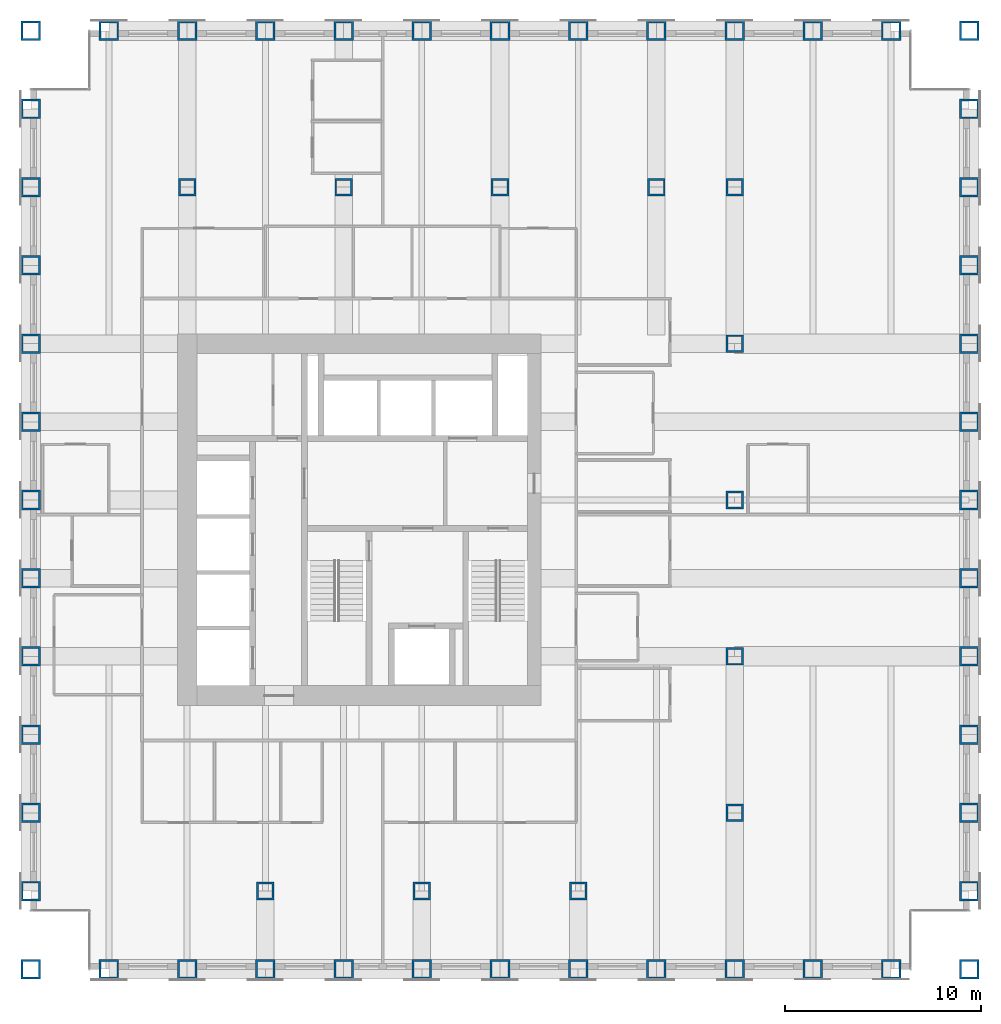
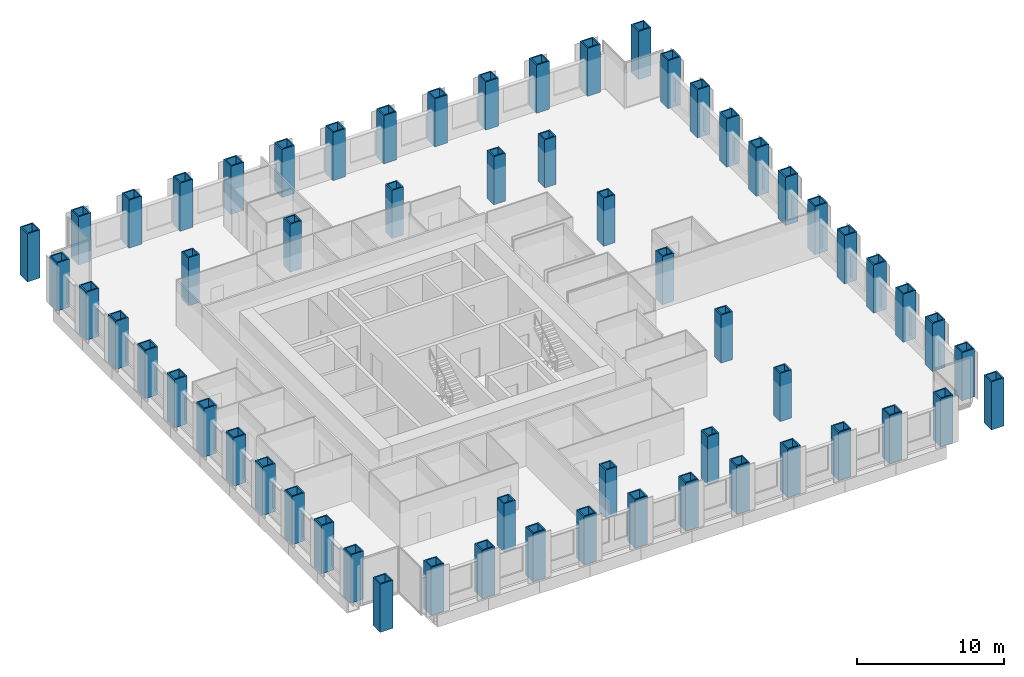
# One storey, part 1 of 16: 60 columns.
"""IFC4 building model written with IfcOpenShell, lengths in metres."""

from ifc_helpers import new_model, si_unit, direction, frame, origin, origin_2d, place, context, subcontext, project, spatial, hollow_rectangle, extrude, material, material_profile, profile_set, type_object, element, save


model = new_model("IFC4")

# Units and contexts
model_context = context("Model", 3, precision=1e-05, world=origin(), true_north=direction((0.0, 1.0)))
body_context = subcontext(model_context, "Body", "Model", "MODEL_VIEW")
ifc_project = project(units=[si_unit("LENGTHUNIT", "METRE"), si_unit("AREAUNIT", "SQUARE_METRE"), si_unit("VOLUMEUNIT", "CUBIC_METRE"), si_unit("PLANEANGLEUNIT", "RADIAN"), si_unit("MASSUNIT", "GRAM", prefix="KILO")], contexts=[model_context])

# Site, building, storey
site_placement = place(None, origin())
site = spatial("IfcSite", under=ifc_project, at=site_placement, CompositionType="ELEMENT")
building_placement = place(site_placement, origin())
building = spatial("IfcBuilding", under=site, at=building_placement, Name="Rimbunsela Tower", CompositionType="ELEMENT")
storey_placement = place(building_placement, frame((0.0, 0.0, 125.39990234375)))
storey = spatial("IfcBuildingStorey", under=building, at=storey_placement, Name="L30", CompositionType="ELEMENT", Elevation=125.39990234375)

# Columns
ifc_material_1 = material(Name="Steel BJ 55 (fy 410 MPa)", Category="steel")
ifc_material_profile_1 = material_profile(ifc_material_1, hollow_rectangle(XDim=1.0, YDim=1.0, WallThickness=0.10009765625, at=origin_2d()), Name="BOX 1000x1000x100")
ifc_profile_set_1 = profile_set([ifc_material_profile_1], Name="Steel BJ 55 (fy 410 MPa)")
column_type_1 = type_object("IfcColumnType", Name="Column BOX 1000x1000x100", PredefinedType="COLUMN", material=ifc_profile_set_1)
for number, where, z_axis, x_axis, name in (
    (1, (10.0, 4.0, 0.0), (0.0, 0.0, 1.0), (1.0, 0.0, 0.0), "Column C1 5/C L30"),
    (2, (10.0, 8.0, 0.0), (0.0, 0.0, 1.0), (1.0, 0.0, 0.0), "Column C1 5/D L30"),
    (3, (10.0, 12.0, 0.0), (0.0, 0.0, 1.0), (1.0, 0.0, 0.0), "Column C1 5/E L30"),
    (4, (10.0, 16.0, 0.0), (0.0, 0.0, 1.0), (1.0, 0.0, 0.0), "Column C1 5/F L30"),
    (5, (10.0, 20.0, 0.0), (0.0, 0.0, 1.0), (1.0, 0.0, 0.0), "Column C1 5/G L30"),
    (6, (10.0, 24.0, 0.0), (0.0, 0.0, 1.0), (1.0, 0.0, 0.0), "Column C1 5/H L30"),
    (7, (10.0, 28.0, 0.0), (0.0, 0.0, 1.0), (1.0, 0.0, 0.0), "Column C1 5/J L30"),
    (8, (10.0, 32.0, 0.0), (0.0, 0.0, 1.0), (1.0, 0.0, 0.0), "Column C1 5/K L30"),
    (9, (10.0, 36.0, 0.0), (0.0, 0.0, 1.0), (1.0, 0.0, 0.0), "Column C1 5/L L30"),
    (10, (10.0, 40.0, 0.0), (0.0, 0.0, 1.0), (1.0, 0.0, 0.0), "Column C1 5/M L30"),
    (11, (10.0, 44.0, 0.0), (0.0, 0.0, 1.0), (1.0, 0.0, 0.0), "Column C1 5/N L30"),
    (12, (10.0, 48.0, 0.0), (0.0, 0.0, 1.0), (1.0, 0.0, 0.0), "Column C1 5/P L30"),
    (13, (10.0, 52.0, 0.0), (0.0, 0.0, 1.0), (1.0, 0.0, 0.0), "Column C1 5/Q L30"),
    (14, (14.0, 4.0, 0.0), (0.0, 0.0, 1.0), (1.0, 0.0, 0.0), "Column C1 6/C L30"),
    (15, (14.0, 52.0, 0.0), (0.0, 0.0, 1.0), (1.0, 0.0, 0.0), "Column C1 6/Q L30"),
    (16, (18.0, 4.0, 0.0), (0.0, 0.0, 1.0), (1.0, 0.0, 0.0), "Column C1 7/C L30"),
    (17, (18.0, 52.0, 0.0), (0.0, 0.0, 1.0), (1.0, 0.0, 0.0), "Column C1 7/Q L30"),
    (18, (22.0, 4.0, 0.0), (0.0, 0.0, 1.0), (1.0, 0.0, 0.0), "Column C1 8/C L30"),
    (19, (22.0, 52.0, 0.0), (0.0, 0.0, 1.0), (1.0, 0.0, 0.0), "Column C1 8/Q L30"),
    (20, (26.0, 4.0, 0.0), (0.0, 0.0, 1.0), (1.0, 0.0, 0.0), "Column C1 9/C L30"),
    (21, (26.0, 52.0, 0.0), (0.0, 0.0, 1.0), (1.0, 0.0, 0.0), "Column C1 9/Q L30"),
    (22, (30.0, 4.0, 0.0), (0.0, 0.0, 1.0), (1.0, 0.0, 0.0), "Column C1 10/C L30"),
    (23, (30.0, 52.0, 0.0), (0.0, 0.0, 1.0), (1.0, 0.0, 0.0), "Column C1 10/Q L30"),
    (24, (34.0, 4.0, 0.0), (0.0, 0.0, 1.0), (1.0, 0.0, 0.0), "Column C1 11/C L30"),
    (25, (34.0, 52.0, 0.0), (0.0, 0.0, 1.0), (1.0, 0.0, 0.0), "Column C1 11/Q L30"),
    (26, (38.0, 4.0, 0.0), (0.0, 0.0, 1.0), (1.0, 0.0, 0.0), "Column C1 12/C L30"),
    (27, (38.0, 52.0, 0.0), (0.0, 0.0, 1.0), (1.0, 0.0, 0.0), "Column C1 12/Q L30"),
    (28, (42.0, 4.0, 0.0), (0.0, 0.0, 1.0), (1.0, 0.0, 0.0), "Column C1 13/C L30"),
    (29, (42.0, 52.0, 0.0), (0.0, 0.0, 1.0), (1.0, 0.0, 0.0), "Column C1 13/Q L30"),
    (30, (46.0, 4.0, 0.0), (0.0, 0.0, 1.0), (1.0, 0.0, 0.0), "Column C1 14/C L30"),
    (31, (46.0, 52.0, 0.0), (0.0, 0.0, 1.0), (1.0, 0.0, 0.0), "Column C1 14/Q L30"),
    (32, (50.0, 4.0, 0.0), (0.0, 0.0, 1.0), (1.0, 0.0, 0.0), "Column C1 15/C L30"),
    (33, (50.0, 52.0, 0.0), (0.0, 0.0, 1.0), (1.0, 0.0, 0.0), "Column C1 15/Q L30"),
    (34, (54.0, 4.0, 0.0), (0.0, 0.0, 1.0), (1.0, 0.0, 0.0), "Column C1 16/C L30"),
    (35, (54.0, 52.0, 0.0), (0.0, 0.0, 1.0), (1.0, 0.0, 0.0), "Column C1 16/Q L30"),
    (36, (58.0, 4.0, 0.0), (0.0, 0.0, 1.0), (1.0, 0.0, 0.0), "Column C1 17/C L30"),
    (37, (58.0, 8.0, 0.0), (0.0, 0.0, 1.0), (1.0, 0.0, 0.0), "Column C1 17/D L30"),
    (38, (58.0, 12.0, 0.0), (0.0, 0.0, 1.0), (1.0, 0.0, 0.0), "Column C1 17/E L30"),
    (39, (58.0, 16.0, 0.0), (0.0, 0.0, 1.0), (1.0, 0.0, 0.0), "Column C1 17/F L30"),
    (40, (58.0, 20.0, 0.0), (0.0, 0.0, 1.0), (1.0, 0.0, 0.0), "Column C1 17/G L30"),
    (41, (58.0, 24.0, 0.0), (0.0, 0.0, 1.0), (1.0, 0.0, 0.0), "Column C1 17/H L30"),
    (42, (58.0, 28.0, 0.0), (0.0, 0.0, 1.0), (1.0, 0.0, 0.0), "Column C1 17/J L30"),
    (43, (58.0, 32.0, 0.0), (0.0, 0.0, 1.0), (1.0, 0.0, 0.0), "Column C1 17/K L30"),
    (44, (58.0, 36.0, 0.0), (0.0, 0.0, 1.0), (1.0, 0.0, 0.0), "Column C1 17/L L30"),
    (45, (58.0, 40.0, 0.0), (0.0, 0.0, 1.0), (1.0, 0.0, 0.0), "Column C1 17/M L30"),
    (46, (58.0, 44.0, 0.0), (0.0, 0.0, 1.0), (1.0, 0.0, 0.0), "Column C1 17/N L30"),
    (47, (58.0, 48.0, 0.0), (0.0, 0.0, 1.0), (1.0, 0.0, 0.0), "Column C1 17/P L30"),
    (48, (58.0, 52.0, 0.0), (0.0, 0.0, 1.0), (1.0, 0.0, 0.0), "Column C1 17/Q L30"),
):
    element("IfcColumn", number, at=place(storey_placement, frame(where, z_axis=z_axis, x_axis=x_axis)), inside=storey, type_object=column_type_1, Name=name, PredefinedType="COLUMN", context=body_context, shape_type="SweptSolid", body=[
        extrude(hollow_rectangle(XDim=1.0, YDim=1.0, WallThickness=0.10009765625, at=origin_2d()), origin(), (0.0, 0.0, 1.0), 4.0),
    ])
ifc_material_2 = material(Name="Steel BJ 55 (fy 410 MPa)", Category="steel")
ifc_material_profile_2 = material_profile(ifc_material_2, hollow_rectangle(XDim=0.89990234375, YDim=0.89990234375, WallThickness=0.10009765625, at=origin_2d()), Name="BOX 900x900x100")
ifc_profile_set_2 = profile_set([ifc_material_profile_2], Name="Steel BJ 55 (fy 410 MPa)")
column_type_2 = type_object("IfcColumnType", Name="Column BOX 900x900x100", PredefinedType="COLUMN", material=ifc_profile_set_2)
for number, where, z_axis, x_axis, name in (
    (49, (18.0, 44.0, 0.0), (0.0, 0.0, 1.0), (1.0, 0.0, 0.0), "Column C5 7/N L30"),
    (50, (22.0, 8.0, 0.0), (0.0, 0.0, 1.0), (1.0, 0.0, 0.0), "Column C5 8/D L30"),
    (51, (26.0, 44.0, 0.0), (0.0, 0.0, 1.0), (1.0, 0.0, 0.0), "Column C5 9/N L30"),
    (52, (30.0, 8.0, 0.0), (0.0, 0.0, 1.0), (1.0, 0.0, 0.0), "Column C5 10/D L30"),
    (53, (34.0, 44.0, 0.0), (0.0, 0.0, 1.0), (1.0, 0.0, 0.0), "Column C5 11/N L30"),
    (54, (38.0, 8.0, 0.0), (0.0, 0.0, 1.0), (1.0, 0.0, 0.0), "Column C5 12/D L30"),
    (55, (42.0, 44.0, 0.0), (0.0, 0.0, 1.0), (1.0, 0.0, 0.0), "Column C5 13/N L30"),
    (56, (46.0, 12.0, 0.0), (0.0, 0.0, 1.0), (1.0, 0.0, 0.0), "Column C5 14/E L30"),
    (57, (46.0, 20.0, 0.0), (0.0, 0.0, 1.0), (1.0, 0.0, 0.0), "Column C5 14/G L30"),
    (58, (46.0, 28.0, 0.0), (0.0, 0.0, 1.0), (1.0, 0.0, 0.0), "Column C5 14/J L30"),
    (59, (46.0, 36.0, 0.0), (0.0, 0.0, 1.0), (1.0, 0.0, 0.0), "Column C5 14/L L30"),
    (60, (46.0, 44.0, 0.0), (0.0, 0.0, 1.0), (1.0, 0.0, 0.0), "Column C5 14/N L30"),
):
    element("IfcColumn", number, at=place(storey_placement, frame(where, z_axis=z_axis, x_axis=x_axis)), inside=storey, type_object=column_type_2, Name=name, PredefinedType="COLUMN", context=body_context, shape_type="SweptSolid", body=[
        extrude(hollow_rectangle(XDim=0.89990234375, YDim=0.89990234375, WallThickness=0.10009765625, at=origin_2d()), origin(), (0.0, 0.0, 1.0), 4.0),
    ])

save(model, "model.ifc")
